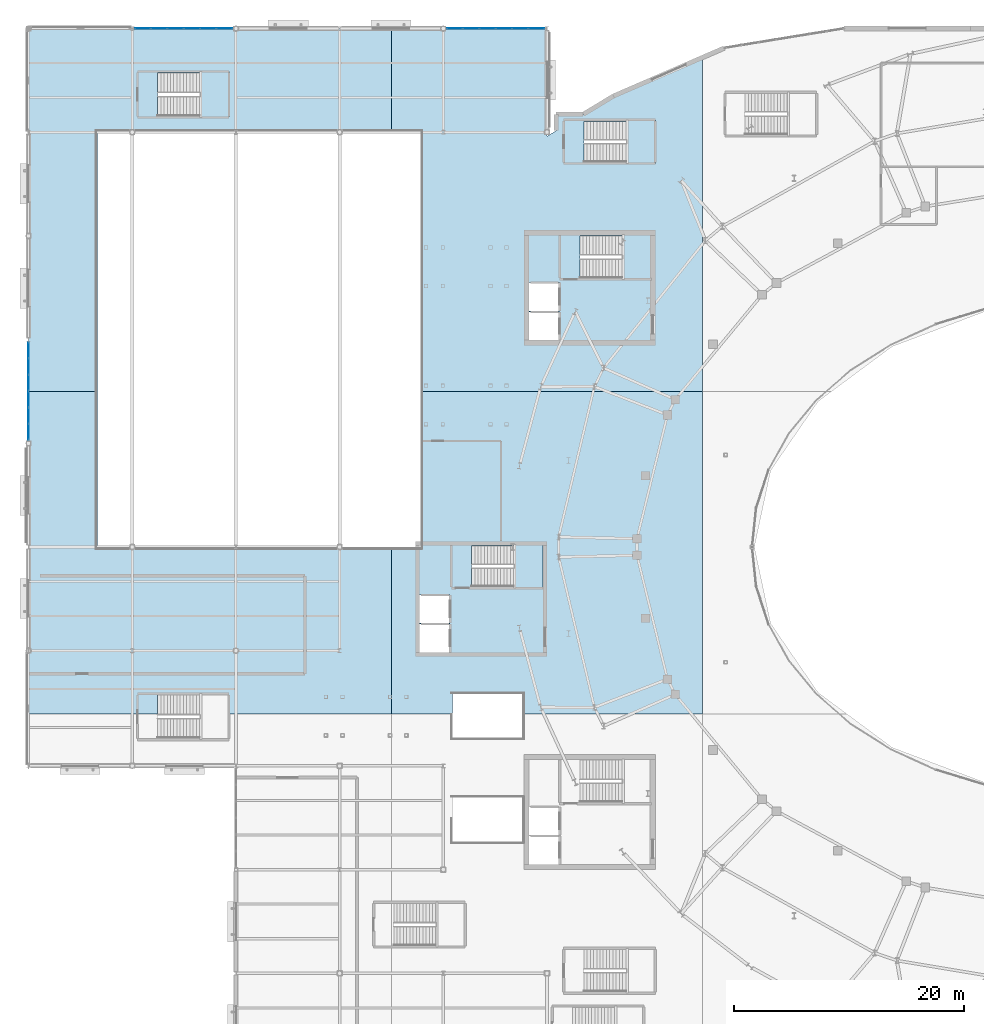
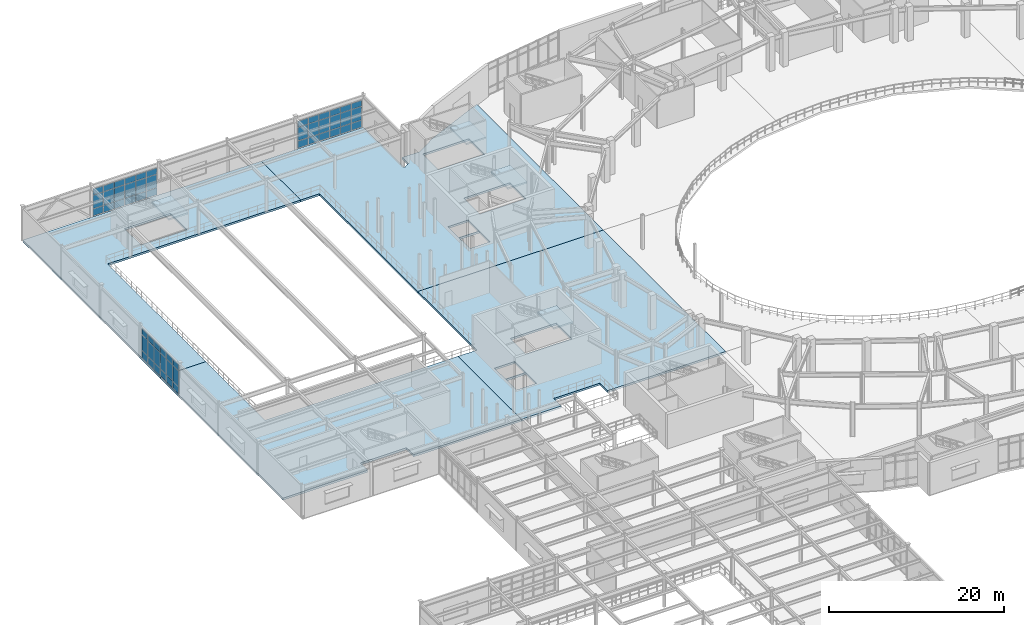
# One storey, part 55 of 86: 54 plates, 8 slabs, 7 elements without a shape of their own.
"""IFC4 building model written with IfcOpenShell, lengths in metres."""

from ifc_helpers import new_model, si_unit, direction, frame, origin, origin_2d, place, context, subcontext, project, spatial, polyline, rectangle, outline, extrude, material, layer, layer_set, type_object, element, aggregate, save


model = new_model("IFC4")

# Units and contexts
model_context = context("Model", 3, precision=1e-05, world=origin(), true_north=direction((0.0, 1.0)))
body_context = subcontext(model_context, "Body", "Model", "MODEL_VIEW")
ifc_project = project(units=[si_unit("LENGTHUNIT", "METRE"), si_unit("AREAUNIT", "SQUARE_METRE"), si_unit("VOLUMEUNIT", "CUBIC_METRE"), si_unit("PLANEANGLEUNIT", "RADIAN"), si_unit("MASSUNIT", "GRAM", prefix="KILO")], contexts=[model_context])

# Site, building, storey
site_placement = place(None, origin())
site = spatial("IfcSite", under=ifc_project, at=site_placement, CompositionType="ELEMENT")
building_placement = place(site_placement, origin())
building = spatial("IfcBuilding", under=site, at=building_placement, Name="Glasvene Arena", CompositionType="ELEMENT")
storey_placement = place(building_placement, frame((0.0, 0.0, 5.39990234375)))
storey = spatial("IfcBuildingStorey", under=building, at=storey_placement, Name="L01", CompositionType="ELEMENT", Elevation=5.39990234375)

# Curtain wall, plates
ifc_material_1 = material(Name="Low-emissivity laminated double glazing", Category="glass")
curtain_wall_type_1 = type_object("IfcCurtainWallType", Name="CW-FAC-L01-853x385", PredefinedType="USERDEFINED", material=ifc_material_1)
curtain_wall_1_placement = place(storey_placement, frame((9.196533203125, 118.0, 0.0)))
curtain_wall_1 = element("IfcCurtainWall", 1, at=curtain_wall_1_placement, inside=storey, type_object=curtain_wall_type_1, Name="Unitised curtain wall CW-F-L01-150-135-1180-1", ObjectType="CURTAIN WALL", PredefinedType="USERDEFINED")
ifc_layer_1 = layer(ifc_material_1, 0.028076171875)
ifc_layer_set_1 = layer_set([ifc_layer_1], Name="Low-emissivity laminated double glazing")
plate_type = type_object("IfcPlateType", Name="CW-GLZ-28", PredefinedType="CURTAIN_PANEL", material=ifc_layer_set_1)
plate_1_placement = place(storey_placement, frame((9.920166015625, 118.0, 0.10986328125), z_axis=(0.0, 0.0, 1.0), x_axis=(1.0, 0.0, 0.0)))
plate_1 = element("IfcPlate", 2, at=plate_1_placement, type_object=plate_type, Name="CW-007 panel 1.1", PredefinedType="CURTAIN_PANEL", context=body_context, shape_type="SweptSolid", body=[
    extrude(rectangle(XDim=1.34716796875, YDim=0.028076171875, at=origin_2d()), origin(), (0.0, 0.0, 1.0), 0.965087890625),
])
plate_2_placement = place(storey_placement, frame((9.920166015625, 118.0, 1.125244140625), z_axis=(0.0, 0.0, 1.0), x_axis=(1.0, 0.0, 0.0)))
plate_2 = element("IfcPlate", 3, at=plate_2_placement, type_object=plate_type, Name="CW-007 panel 1.2", PredefinedType="CURTAIN_PANEL", context=body_context, shape_type="SweptSolid", body=[
    extrude(rectangle(XDim=1.34716796875, YDim=0.028076171875, at=origin_2d()), origin(), (0.0, 0.0, 1.0), 1.85693359375),
])
plate_3_placement = place(storey_placement, frame((9.920166015625, 118.0, 3.0322265625), z_axis=(0.0, 0.0, 1.0), x_axis=(1.0, 0.0, 0.0)))
plate_3 = element("IfcPlate", 4, at=plate_3_placement, type_object=plate_type, Name="CW-007 panel 1.3", PredefinedType="CURTAIN_PANEL", context=body_context, shape_type="SweptSolid", body=[
    extrude(rectangle(XDim=1.34716796875, YDim=0.028076171875, at=origin_2d()), origin(), (0.0, 0.0, 1.0), 0.824951171875),
])
plate_4_placement = place(storey_placement, frame((11.329833984375, 118.0, 0.10986328125), z_axis=(0.0, 0.0, 1.0), x_axis=(1.0, 0.0, 0.0)))
plate_4 = element("IfcPlate", 5, at=plate_4_placement, type_object=plate_type, Name="CW-007 panel 2.1", PredefinedType="CURTAIN_PANEL", context=body_context, shape_type="SweptSolid", body=[
    extrude(rectangle(XDim=1.3720703125, YDim=0.028076171875, at=origin_2d()), origin(), (0.0, 0.0, 1.0), 0.965087890625),
])
plate_5_placement = place(storey_placement, frame((11.329833984375, 118.0, 1.125244140625), z_axis=(0.0, 0.0, 1.0), x_axis=(1.0, 0.0, 0.0)))
plate_5 = element("IfcPlate", 6, at=plate_5_placement, type_object=plate_type, Name="CW-007 panel 2.2", PredefinedType="CURTAIN_PANEL", context=body_context, shape_type="SweptSolid", body=[
    extrude(rectangle(XDim=1.3720703125, YDim=0.028076171875, at=origin_2d()), origin(), (0.0, 0.0, 1.0), 1.85693359375),
])
plate_6_placement = place(storey_placement, frame((11.329833984375, 118.0, 3.0322265625), z_axis=(0.0, 0.0, 1.0), x_axis=(1.0, 0.0, 0.0)))
plate_6 = element("IfcPlate", 7, at=plate_6_placement, type_object=plate_type, Name="CW-007 panel 2.3", PredefinedType="CURTAIN_PANEL", context=body_context, shape_type="SweptSolid", body=[
    extrude(rectangle(XDim=1.3720703125, YDim=0.028076171875, at=origin_2d()), origin(), (0.0, 0.0, 1.0), 0.824951171875),
])
plate_7_placement = place(storey_placement, frame((12.751953125, 118.0, 0.10986328125), z_axis=(0.0, 0.0, 1.0), x_axis=(1.0, 0.0, 0.0)))
plate_7 = element("IfcPlate", 8, at=plate_7_placement, type_object=plate_type, Name="CW-007 panel 3.1", PredefinedType="CURTAIN_PANEL", context=body_context, shape_type="SweptSolid", body=[
    extrude(rectangle(XDim=1.3720703125, YDim=0.028076171875, at=origin_2d()), origin(), (0.0, 0.0, 1.0), 0.965087890625),
])
plate_8_placement = place(storey_placement, frame((12.751953125, 118.0, 1.125244140625), z_axis=(0.0, 0.0, 1.0), x_axis=(1.0, 0.0, 0.0)))
plate_8 = element("IfcPlate", 9, at=plate_8_placement, type_object=plate_type, Name="CW-007 panel 3.2", PredefinedType="CURTAIN_PANEL", context=body_context, shape_type="SweptSolid", body=[
    extrude(rectangle(XDim=1.3720703125, YDim=0.028076171875, at=origin_2d()), origin(), (0.0, 0.0, 1.0), 1.85693359375),
])
plate_9_placement = place(storey_placement, frame((12.751953125, 118.0, 3.0322265625), z_axis=(0.0, 0.0, 1.0), x_axis=(1.0, 0.0, 0.0)))
plate_9 = element("IfcPlate", 10, at=plate_9_placement, type_object=plate_type, Name="CW-007 panel 3.3", PredefinedType="CURTAIN_PANEL", context=body_context, shape_type="SweptSolid", body=[
    extrude(rectangle(XDim=1.3720703125, YDim=0.028076171875, at=origin_2d()), origin(), (0.0, 0.0, 1.0), 0.824951171875),
])
plate_10_placement = place(storey_placement, frame((14.174072265625, 118.0, 0.10986328125), z_axis=(0.0, 0.0, 1.0), x_axis=(1.0, 0.0, 0.0)))
plate_10 = element("IfcPlate", 11, at=plate_10_placement, type_object=plate_type, Name="CW-007 panel 4.1", PredefinedType="CURTAIN_PANEL", context=body_context, shape_type="SweptSolid", body=[
    extrude(rectangle(XDim=1.3720703125, YDim=0.028076171875, at=origin_2d()), origin(), (0.0, 0.0, 1.0), 0.965087890625),
])
plate_11_placement = place(storey_placement, frame((14.174072265625, 118.0, 1.125244140625), z_axis=(0.0, 0.0, 1.0), x_axis=(1.0, 0.0, 0.0)))
plate_11 = element("IfcPlate", 12, at=plate_11_placement, type_object=plate_type, Name="CW-007 panel 4.2", PredefinedType="CURTAIN_PANEL", context=body_context, shape_type="SweptSolid", body=[
    extrude(rectangle(XDim=1.3720703125, YDim=0.028076171875, at=origin_2d()), origin(), (0.0, 0.0, 1.0), 1.85693359375),
])
plate_12_placement = place(storey_placement, frame((14.174072265625, 118.0, 3.0322265625), z_axis=(0.0, 0.0, 1.0), x_axis=(1.0, 0.0, 0.0)))
plate_12 = element("IfcPlate", 13, at=plate_12_placement, type_object=plate_type, Name="CW-007 panel 4.3", PredefinedType="CURTAIN_PANEL", context=body_context, shape_type="SweptSolid", body=[
    extrude(rectangle(XDim=1.3720703125, YDim=0.028076171875, at=origin_2d()), origin(), (0.0, 0.0, 1.0), 0.824951171875),
])
plate_13_placement = place(storey_placement, frame((15.59619140625, 118.0, 0.10986328125), z_axis=(0.0, 0.0, 1.0), x_axis=(1.0, 0.0, 0.0)))
plate_13 = element("IfcPlate", 14, at=plate_13_placement, type_object=plate_type, Name="CW-007 panel 5.1", PredefinedType="CURTAIN_PANEL", context=body_context, shape_type="SweptSolid", body=[
    extrude(rectangle(XDim=1.3720703125, YDim=0.028076171875, at=origin_2d()), origin(), (0.0, 0.0, 1.0), 0.965087890625),
])
plate_14_placement = place(storey_placement, frame((15.59619140625, 118.0, 1.125244140625), z_axis=(0.0, 0.0, 1.0), x_axis=(1.0, 0.0, 0.0)))
plate_14 = element("IfcPlate", 15, at=plate_14_placement, type_object=plate_type, Name="CW-007 panel 5.2", PredefinedType="CURTAIN_PANEL", context=body_context, shape_type="SweptSolid", body=[
    extrude(rectangle(XDim=1.3720703125, YDim=0.028076171875, at=origin_2d()), origin(), (0.0, 0.0, 1.0), 1.85693359375),
])
plate_15_placement = place(storey_placement, frame((15.59619140625, 118.0, 3.0322265625), z_axis=(0.0, 0.0, 1.0), x_axis=(1.0, 0.0, 0.0)))
plate_15 = element("IfcPlate", 16, at=plate_15_placement, type_object=plate_type, Name="CW-007 panel 5.3", PredefinedType="CURTAIN_PANEL", context=body_context, shape_type="SweptSolid", body=[
    extrude(rectangle(XDim=1.3720703125, YDim=0.028076171875, at=origin_2d()), origin(), (0.0, 0.0, 1.0), 0.824951171875),
])
plate_16_placement = place(storey_placement, frame((17.005859375, 118.0, 0.10986328125), z_axis=(0.0, 0.0, 1.0), x_axis=(1.0, 0.0, 0.0)))
plate_16 = element("IfcPlate", 17, at=plate_16_placement, type_object=plate_type, Name="CW-007 panel 6.1", PredefinedType="CURTAIN_PANEL", context=body_context, shape_type="SweptSolid", body=[
    extrude(rectangle(XDim=1.34716796875, YDim=0.028076171875, at=origin_2d()), origin(), (0.0, 0.0, 1.0), 0.965087890625),
])
plate_17_placement = place(storey_placement, frame((17.005859375, 118.0, 1.125244140625), z_axis=(0.0, 0.0, 1.0), x_axis=(1.0, 0.0, 0.0)))
plate_17 = element("IfcPlate", 18, at=plate_17_placement, type_object=plate_type, Name="CW-007 panel 6.2", PredefinedType="CURTAIN_PANEL", context=body_context, shape_type="SweptSolid", body=[
    extrude(rectangle(XDim=1.34716796875, YDim=0.028076171875, at=origin_2d()), origin(), (0.0, 0.0, 1.0), 1.85693359375),
])
plate_18_placement = place(storey_placement, frame((17.005859375, 118.0, 3.0322265625), z_axis=(0.0, 0.0, 1.0), x_axis=(1.0, 0.0, 0.0)))
plate_18 = element("IfcPlate", 19, at=plate_18_placement, type_object=plate_type, Name="CW-007 panel 6.3", PredefinedType="CURTAIN_PANEL", context=body_context, shape_type="SweptSolid", body=[
    extrude(rectangle(XDim=1.34716796875, YDim=0.028076171875, at=origin_2d()), origin(), (0.0, 0.0, 1.0), 0.824951171875),
])
aggregate(curtain_wall_1, [plate_1, plate_2, plate_3, plate_4, plate_5, plate_6, plate_7, plate_8, plate_9, plate_10, plate_11, plate_12, plate_13, plate_14, plate_15, plate_16, plate_17, plate_18])

curtain_wall_2_placement = place(storey_placement, frame((36.2705078125, 118.0, 0.0)))
curtain_wall_2 = element("IfcCurtainWall", 20, at=curtain_wall_2_placement, inside=storey, type_object=curtain_wall_type_1, Name="Unitised curtain wall CW-F-L01-150-405-1180-4", ObjectType="CURTAIN WALL", PredefinedType="USERDEFINED")
plate_19_placement = place(storey_placement, frame((36.994140625, 118.0, 0.10986328125), z_axis=(0.0, 0.0, 1.0), x_axis=(1.0, 0.0, 0.0)))
plate_19 = element("IfcPlate", 21, at=plate_19_placement, type_object=plate_type, Name="CW-007 panel 1.1", PredefinedType="CURTAIN_PANEL", context=body_context, shape_type="SweptSolid", body=[
    extrude(rectangle(XDim=1.34716796875, YDim=0.028076171875, at=origin_2d()), origin(), (0.0, 0.0, 1.0), 0.965087890625),
])
plate_20_placement = place(storey_placement, frame((36.994140625, 118.0, 1.125244140625), z_axis=(0.0, 0.0, 1.0), x_axis=(1.0, 0.0, 0.0)))
plate_20 = element("IfcPlate", 22, at=plate_20_placement, type_object=plate_type, Name="CW-007 panel 1.2", PredefinedType="CURTAIN_PANEL", context=body_context, shape_type="SweptSolid", body=[
    extrude(rectangle(XDim=1.34716796875, YDim=0.028076171875, at=origin_2d()), origin(), (0.0, 0.0, 1.0), 1.85693359375),
])
plate_21_placement = place(storey_placement, frame((36.994140625, 118.0, 3.0322265625), z_axis=(0.0, 0.0, 1.0), x_axis=(1.0, 0.0, 0.0)))
plate_21 = element("IfcPlate", 23, at=plate_21_placement, type_object=plate_type, Name="CW-007 panel 1.3", PredefinedType="CURTAIN_PANEL", context=body_context, shape_type="SweptSolid", body=[
    extrude(rectangle(XDim=1.34716796875, YDim=0.028076171875, at=origin_2d()), origin(), (0.0, 0.0, 1.0), 0.824951171875),
])
plate_22_placement = place(storey_placement, frame((38.40380859375, 118.0, 0.10986328125), z_axis=(0.0, 0.0, 1.0), x_axis=(1.0, 0.0, 0.0)))
plate_22 = element("IfcPlate", 24, at=plate_22_placement, type_object=plate_type, Name="CW-007 panel 2.1", PredefinedType="CURTAIN_PANEL", context=body_context, shape_type="SweptSolid", body=[
    extrude(rectangle(XDim=1.3720703125, YDim=0.028076171875, at=origin_2d()), origin(), (0.0, 0.0, 1.0), 0.965087890625),
])
plate_23_placement = place(storey_placement, frame((38.40380859375, 118.0, 1.125244140625), z_axis=(0.0, 0.0, 1.0), x_axis=(1.0, 0.0, 0.0)))
plate_23 = element("IfcPlate", 25, at=plate_23_placement, type_object=plate_type, Name="CW-007 panel 2.2", PredefinedType="CURTAIN_PANEL", context=body_context, shape_type="SweptSolid", body=[
    extrude(rectangle(XDim=1.3720703125, YDim=0.028076171875, at=origin_2d()), origin(), (0.0, 0.0, 1.0), 1.85693359375),
])
plate_24_placement = place(storey_placement, frame((38.40380859375, 118.0, 3.0322265625), z_axis=(0.0, 0.0, 1.0), x_axis=(1.0, 0.0, 0.0)))
plate_24 = element("IfcPlate", 26, at=plate_24_placement, type_object=plate_type, Name="CW-007 panel 2.3", PredefinedType="CURTAIN_PANEL", context=body_context, shape_type="SweptSolid", body=[
    extrude(rectangle(XDim=1.3720703125, YDim=0.028076171875, at=origin_2d()), origin(), (0.0, 0.0, 1.0), 0.824951171875),
])
plate_25_placement = place(storey_placement, frame((39.825927734375, 118.0, 0.10986328125), z_axis=(0.0, 0.0, 1.0), x_axis=(1.0, 0.0, 0.0)))
plate_25 = element("IfcPlate", 27, at=plate_25_placement, type_object=plate_type, Name="CW-007 panel 3.1", PredefinedType="CURTAIN_PANEL", context=body_context, shape_type="SweptSolid", body=[
    extrude(rectangle(XDim=1.3720703125, YDim=0.028076171875, at=origin_2d()), origin(), (0.0, 0.0, 1.0), 0.965087890625),
])
plate_26_placement = place(storey_placement, frame((39.825927734375, 118.0, 1.125244140625), z_axis=(0.0, 0.0, 1.0), x_axis=(1.0, 0.0, 0.0)))
plate_26 = element("IfcPlate", 28, at=plate_26_placement, type_object=plate_type, Name="CW-007 panel 3.2", PredefinedType="CURTAIN_PANEL", context=body_context, shape_type="SweptSolid", body=[
    extrude(rectangle(XDim=1.3720703125, YDim=0.028076171875, at=origin_2d()), origin(), (0.0, 0.0, 1.0), 1.85693359375),
])
plate_27_placement = place(storey_placement, frame((39.825927734375, 118.0, 3.0322265625), z_axis=(0.0, 0.0, 1.0), x_axis=(1.0, 0.0, 0.0)))
plate_27 = element("IfcPlate", 29, at=plate_27_placement, type_object=plate_type, Name="CW-007 panel 3.3", PredefinedType="CURTAIN_PANEL", context=body_context, shape_type="SweptSolid", body=[
    extrude(rectangle(XDim=1.3720703125, YDim=0.028076171875, at=origin_2d()), origin(), (0.0, 0.0, 1.0), 0.824951171875),
])
plate_28_placement = place(storey_placement, frame((41.248046875, 118.0, 0.10986328125), z_axis=(0.0, 0.0, 1.0), x_axis=(1.0, 0.0, 0.0)))
plate_28 = element("IfcPlate", 30, at=plate_28_placement, type_object=plate_type, Name="CW-007 panel 4.1", PredefinedType="CURTAIN_PANEL", context=body_context, shape_type="SweptSolid", body=[
    extrude(rectangle(XDim=1.3720703125, YDim=0.028076171875, at=origin_2d()), origin(), (0.0, 0.0, 1.0), 0.965087890625),
])
plate_29_placement = place(storey_placement, frame((41.248046875, 118.0, 1.125244140625), z_axis=(0.0, 0.0, 1.0), x_axis=(1.0, 0.0, 0.0)))
plate_29 = element("IfcPlate", 31, at=plate_29_placement, type_object=plate_type, Name="CW-007 panel 4.2", PredefinedType="CURTAIN_PANEL", context=body_context, shape_type="SweptSolid", body=[
    extrude(rectangle(XDim=1.3720703125, YDim=0.028076171875, at=origin_2d()), origin(), (0.0, 0.0, 1.0), 1.85693359375),
])
plate_30_placement = place(storey_placement, frame((41.248046875, 118.0, 3.0322265625), z_axis=(0.0, 0.0, 1.0), x_axis=(1.0, 0.0, 0.0)))
plate_30 = element("IfcPlate", 32, at=plate_30_placement, type_object=plate_type, Name="CW-007 panel 4.3", PredefinedType="CURTAIN_PANEL", context=body_context, shape_type="SweptSolid", body=[
    extrude(rectangle(XDim=1.3720703125, YDim=0.028076171875, at=origin_2d()), origin(), (0.0, 0.0, 1.0), 0.824951171875),
])
plate_31_placement = place(storey_placement, frame((42.670166015625, 118.0, 0.10986328125), z_axis=(0.0, 0.0, 1.0), x_axis=(1.0, 0.0, 0.0)))
plate_31 = element("IfcPlate", 33, at=plate_31_placement, type_object=plate_type, Name="CW-007 panel 5.1", PredefinedType="CURTAIN_PANEL", context=body_context, shape_type="SweptSolid", body=[
    extrude(rectangle(XDim=1.3720703125, YDim=0.028076171875, at=origin_2d()), origin(), (0.0, 0.0, 1.0), 0.965087890625),
])
plate_32_placement = place(storey_placement, frame((42.670166015625, 118.0, 1.125244140625), z_axis=(0.0, 0.0, 1.0), x_axis=(1.0, 0.0, 0.0)))
plate_32 = element("IfcPlate", 34, at=plate_32_placement, type_object=plate_type, Name="CW-007 panel 5.2", PredefinedType="CURTAIN_PANEL", context=body_context, shape_type="SweptSolid", body=[
    extrude(rectangle(XDim=1.3720703125, YDim=0.028076171875, at=origin_2d()), origin(), (0.0, 0.0, 1.0), 1.85693359375),
])
plate_33_placement = place(storey_placement, frame((42.670166015625, 118.0, 3.0322265625), z_axis=(0.0, 0.0, 1.0), x_axis=(1.0, 0.0, 0.0)))
plate_33 = element("IfcPlate", 35, at=plate_33_placement, type_object=plate_type, Name="CW-007 panel 5.3", PredefinedType="CURTAIN_PANEL", context=body_context, shape_type="SweptSolid", body=[
    extrude(rectangle(XDim=1.3720703125, YDim=0.028076171875, at=origin_2d()), origin(), (0.0, 0.0, 1.0), 0.824951171875),
])
plate_34_placement = place(storey_placement, frame((44.079833984375, 118.0, 0.10986328125), z_axis=(0.0, 0.0, 1.0), x_axis=(1.0, 0.0, 0.0)))
plate_34 = element("IfcPlate", 36, at=plate_34_placement, type_object=plate_type, Name="CW-007 panel 6.1", PredefinedType="CURTAIN_PANEL", context=body_context, shape_type="SweptSolid", body=[
    extrude(rectangle(XDim=1.34716796875, YDim=0.028076171875, at=origin_2d()), origin(), (0.0, 0.0, 1.0), 0.965087890625),
])
plate_35_placement = place(storey_placement, frame((44.079833984375, 118.0, 1.125244140625), z_axis=(0.0, 0.0, 1.0), x_axis=(1.0, 0.0, 0.0)))
plate_35 = element("IfcPlate", 37, at=plate_35_placement, type_object=plate_type, Name="CW-007 panel 6.2", PredefinedType="CURTAIN_PANEL", context=body_context, shape_type="SweptSolid", body=[
    extrude(rectangle(XDim=1.34716796875, YDim=0.028076171875, at=origin_2d()), origin(), (0.0, 0.0, 1.0), 1.85693359375),
])
plate_36_placement = place(storey_placement, frame((44.079833984375, 118.0, 3.0322265625), z_axis=(0.0, 0.0, 1.0), x_axis=(1.0, 0.0, 0.0)))
plate_36 = element("IfcPlate", 38, at=plate_36_placement, type_object=plate_type, Name="CW-007 panel 6.3", PredefinedType="CURTAIN_PANEL", context=body_context, shape_type="SweptSolid", body=[
    extrude(rectangle(XDim=1.34716796875, YDim=0.028076171875, at=origin_2d()), origin(), (0.0, 0.0, 1.0), 0.824951171875),
])
aggregate(curtain_wall_2, [plate_19, plate_20, plate_21, plate_22, plate_23, plate_24, plate_25, plate_26, plate_27, plate_28, plate_29, plate_30, plate_31, plate_32, plate_33, plate_34, plate_35, plate_36])

curtain_wall_type_2 = type_object("IfcCurtainWallType", Name="CW-FAC-L01-853x416", PredefinedType="USERDEFINED", material=ifc_material_1)
curtain_wall_3_placement = place(storey_placement, frame((0.0, 82.2705078125, 0.0)))
curtain_wall_3 = element("IfcCurtainWall", 39, at=curtain_wall_3_placement, inside=storey, type_object=curtain_wall_type_2, Name="Unitised curtain wall CW-F-L01-180-0-865-76", ObjectType="CURTAIN WALL", PredefinedType="USERDEFINED")
plate_37_placement = place(storey_placement, frame((0.0, 82.99365234375, 0.10986328125), z_axis=(0.0, 0.0, 1.0), x_axis=(0.0, 1.0, 0.0)))
plate_37 = element("IfcPlate", 40, at=plate_37_placement, type_object=plate_type, Name="CW-019 panel 1.1", PredefinedType="CURTAIN_PANEL", context=body_context, shape_type="SweptSolid", body=[
    extrude(rectangle(XDim=1.34619140625, YDim=0.028076171875, at=origin_2d()), origin(), (0.0, 0.0, 1.0), 0.965087890625),
])
plate_38_placement = place(storey_placement, frame((0.0, 82.99365234375, 1.125), z_axis=(0.0, 0.0, 1.0), x_axis=(0.0, 1.0, 0.0)))
plate_38 = element("IfcPlate", 41, at=plate_38_placement, type_object=plate_type, Name="CW-019 panel 1.2", PredefinedType="CURTAIN_PANEL", context=body_context, shape_type="SweptSolid", body=[
    extrude(rectangle(XDim=1.34619140625, YDim=0.028076171875, at=origin_2d()), origin(), (0.0, 0.0, 1.0), 2.1650390625),
])
plate_39_placement = place(storey_placement, frame((0.0, 82.99365234375, 3.34033203125), z_axis=(0.0, 0.0, 1.0), x_axis=(0.0, 1.0, 0.0)))
plate_39 = element("IfcPlate", 42, at=plate_39_placement, type_object=plate_type, Name="CW-019 panel 1.3", PredefinedType="CURTAIN_PANEL", context=body_context, shape_type="SweptSolid", body=[
    extrude(rectangle(XDim=1.34619140625, YDim=0.028076171875, at=origin_2d()), origin(), (0.0, 0.0, 1.0), 0.824951171875),
])
plate_40_placement = place(storey_placement, frame((0.0, 84.40234375, 0.10986328125), z_axis=(0.0, 0.0, 1.0), x_axis=(0.0, 1.0, 0.0)))
plate_40 = element("IfcPlate", 43, at=plate_40_placement, type_object=plate_type, Name="CW-019 panel 2.1", PredefinedType="CURTAIN_PANEL", context=body_context, shape_type="SweptSolid", body=[
    extrude(rectangle(XDim=1.37109375, YDim=0.028076171875, at=origin_2d()), origin(), (0.0, 0.0, 1.0), 0.965087890625),
])
plate_41_placement = place(storey_placement, frame((0.0, 84.40234375, 1.125), z_axis=(0.0, 0.0, 1.0), x_axis=(0.0, 1.0, 0.0)))
plate_41 = element("IfcPlate", 44, at=plate_41_placement, type_object=plate_type, Name="CW-019 panel 2.2", PredefinedType="CURTAIN_PANEL", context=body_context, shape_type="SweptSolid", body=[
    extrude(rectangle(XDim=1.37109375, YDim=0.028076171875, at=origin_2d()), origin(), (0.0, 0.0, 1.0), 2.1650390625),
])
plate_42_placement = place(storey_placement, frame((0.0, 84.40234375, 3.34033203125), z_axis=(0.0, 0.0, 1.0), x_axis=(0.0, 1.0, 0.0)))
plate_42 = element("IfcPlate", 45, at=plate_42_placement, type_object=plate_type, Name="CW-019 panel 2.3", PredefinedType="CURTAIN_PANEL", context=body_context, shape_type="SweptSolid", body=[
    extrude(rectangle(XDim=1.37109375, YDim=0.028076171875, at=origin_2d()), origin(), (0.0, 0.0, 1.0), 0.824951171875),
])
plate_43_placement = place(storey_placement, frame((0.0, 85.823486328125, 0.10986328125), z_axis=(0.0, 0.0, 1.0), x_axis=(0.0, 1.0, 0.0)))
plate_43 = element("IfcPlate", 46, at=plate_43_placement, type_object=plate_type, Name="CW-019 panel 3.1", PredefinedType="CURTAIN_PANEL", context=body_context, shape_type="SweptSolid", body=[
    extrude(rectangle(XDim=1.37109375, YDim=0.028076171875, at=origin_2d()), origin(), (0.0, 0.0, 1.0), 0.965087890625),
])
plate_44_placement = place(storey_placement, frame((0.0, 85.823486328125, 1.125), z_axis=(0.0, 0.0, 1.0), x_axis=(0.0, 1.0, 0.0)))
plate_44 = element("IfcPlate", 47, at=plate_44_placement, type_object=plate_type, Name="CW-019 panel 3.2", PredefinedType="CURTAIN_PANEL", context=body_context, shape_type="SweptSolid", body=[
    extrude(rectangle(XDim=1.37109375, YDim=0.028076171875, at=origin_2d()), origin(), (0.0, 0.0, 1.0), 2.1650390625),
])
plate_45_placement = place(storey_placement, frame((0.0, 85.823486328125, 3.34033203125), z_axis=(0.0, 0.0, 1.0), x_axis=(0.0, 1.0, 0.0)))
plate_45 = element("IfcPlate", 48, at=plate_45_placement, type_object=plate_type, Name="CW-019 panel 3.3", PredefinedType="CURTAIN_PANEL", context=body_context, shape_type="SweptSolid", body=[
    extrude(rectangle(XDim=1.37109375, YDim=0.028076171875, at=origin_2d()), origin(), (0.0, 0.0, 1.0), 0.824951171875),
])
plate_46_placement = place(storey_placement, frame((0.0, 87.24462890625, 0.10986328125), z_axis=(0.0, 0.0, 1.0), x_axis=(0.0, 1.0, 0.0)))
plate_46 = element("IfcPlate", 49, at=plate_46_placement, type_object=plate_type, Name="CW-019 panel 4.1", PredefinedType="CURTAIN_PANEL", context=body_context, shape_type="SweptSolid", body=[
    extrude(rectangle(XDim=1.37109375, YDim=0.028076171875, at=origin_2d()), origin(), (0.0, 0.0, 1.0), 0.965087890625),
])
plate_47_placement = place(storey_placement, frame((0.0, 87.24462890625, 1.125), z_axis=(0.0, 0.0, 1.0), x_axis=(0.0, 1.0, 0.0)))
plate_47 = element("IfcPlate", 50, at=plate_47_placement, type_object=plate_type, Name="CW-019 panel 4.2", PredefinedType="CURTAIN_PANEL", context=body_context, shape_type="SweptSolid", body=[
    extrude(rectangle(XDim=1.37109375, YDim=0.028076171875, at=origin_2d()), origin(), (0.0, 0.0, 1.0), 2.1650390625),
])
plate_48_placement = place(storey_placement, frame((0.0, 87.24462890625, 3.34033203125), z_axis=(0.0, 0.0, 1.0), x_axis=(0.0, 1.0, 0.0)))
plate_48 = element("IfcPlate", 51, at=plate_48_placement, type_object=plate_type, Name="CW-019 panel 4.3", PredefinedType="CURTAIN_PANEL", context=body_context, shape_type="SweptSolid", body=[
    extrude(rectangle(XDim=1.37109375, YDim=0.028076171875, at=origin_2d()), origin(), (0.0, 0.0, 1.0), 0.824951171875),
])
plate_49_placement = place(storey_placement, frame((0.0, 88.666015625, 0.10986328125), z_axis=(0.0, 0.0, 1.0), x_axis=(0.0, 1.0, 0.0)))
plate_49 = element("IfcPlate", 52, at=plate_49_placement, type_object=plate_type, Name="CW-019 panel 5.1", PredefinedType="CURTAIN_PANEL", context=body_context, shape_type="SweptSolid", body=[
    extrude(rectangle(XDim=1.37109375, YDim=0.028076171875, at=origin_2d()), origin(), (0.0, 0.0, 1.0), 0.965087890625),
])
plate_50_placement = place(storey_placement, frame((0.0, 88.666015625, 1.125), z_axis=(0.0, 0.0, 1.0), x_axis=(0.0, 1.0, 0.0)))
plate_50 = element("IfcPlate", 53, at=plate_50_placement, type_object=plate_type, Name="CW-019 panel 5.2", PredefinedType="CURTAIN_PANEL", context=body_context, shape_type="SweptSolid", body=[
    extrude(rectangle(XDim=1.37109375, YDim=0.028076171875, at=origin_2d()), origin(), (0.0, 0.0, 1.0), 2.1650390625),
])
plate_51_placement = place(storey_placement, frame((0.0, 88.666015625, 3.34033203125), z_axis=(0.0, 0.0, 1.0), x_axis=(0.0, 1.0, 0.0)))
plate_51 = element("IfcPlate", 54, at=plate_51_placement, type_object=plate_type, Name="CW-019 panel 5.3", PredefinedType="CURTAIN_PANEL", context=body_context, shape_type="SweptSolid", body=[
    extrude(rectangle(XDim=1.37109375, YDim=0.028076171875, at=origin_2d()), origin(), (0.0, 0.0, 1.0), 0.824951171875),
])
plate_52_placement = place(storey_placement, frame((0.0, 90.07470703125, 0.10986328125), z_axis=(0.0, 0.0, 1.0), x_axis=(0.0, 1.0, 0.0)))
plate_52 = element("IfcPlate", 55, at=plate_52_placement, type_object=plate_type, Name="CW-019 panel 6.1", PredefinedType="CURTAIN_PANEL", context=body_context, shape_type="SweptSolid", body=[
    extrude(rectangle(XDim=1.34619140625, YDim=0.028076171875, at=origin_2d()), origin(), (0.0, 0.0, 1.0), 0.965087890625),
])
plate_53_placement = place(storey_placement, frame((0.0, 90.07470703125, 1.125), z_axis=(0.0, 0.0, 1.0), x_axis=(0.0, 1.0, 0.0)))
plate_53 = element("IfcPlate", 56, at=plate_53_placement, type_object=plate_type, Name="CW-019 panel 6.2", PredefinedType="CURTAIN_PANEL", context=body_context, shape_type="SweptSolid", body=[
    extrude(rectangle(XDim=1.34619140625, YDim=0.028076171875, at=origin_2d()), origin(), (0.0, 0.0, 1.0), 2.1650390625),
])
plate_54_placement = place(storey_placement, frame((0.0, 90.07470703125, 3.34033203125), z_axis=(0.0, 0.0, 1.0), x_axis=(0.0, 1.0, 0.0)))
plate_54 = element("IfcPlate", 57, at=plate_54_placement, type_object=plate_type, Name="CW-019 panel 6.3", PredefinedType="CURTAIN_PANEL", context=body_context, shape_type="SweptSolid", body=[
    extrude(rectangle(XDim=1.34619140625, YDim=0.028076171875, at=origin_2d()), origin(), (0.0, 0.0, 1.0), 0.824951171875),
])
aggregate(curtain_wall_3, [plate_37, plate_38, plate_39, plate_40, plate_41, plate_42, plate_43, plate_44, plate_45, plate_46, plate_47, plate_48, plate_49, plate_50, plate_51, plate_52, plate_53, plate_54])

# Slabs
ifc_material_2 = material(Name="Concrete C40/50", Category="concrete")
ifc_layer_2 = layer(ifc_material_2, 0.280029296875)
ifc_layer_set_2 = layer_set([ifc_layer_2], Name="Concrete C40/50")
slab_type_1 = type_object("IfcSlabType", Name="SL-CONC-280", PredefinedType="FLOOR", material=ifc_layer_set_2)
slab_1_placement = place(storey_placement, frame((13.200439453125, 67.330078125, -0.27978515625)))
element("IfcSlab", 58, at=slab_1_placement, inside=storey, type_object=slab_type_1, Name="Structural floor slab L01 sector 3-1 (50)", PredefinedType="FLOOR", context=body_context, shape_type="SweptSolid", body=[
    extrude(outline(polyline([(-7.200439453125, 19.169921875), (-7.200439453125, 5.669921875), (18.299560546875, 5.669921875), (18.299560546875, -8.830078125), (4.099609375, -8.830078125), (4.099609375, -7.18017578125), (-1.99853515625, -7.18017578125), (-1.99853515625, -8.830078125), (-13.200439453125, -8.830078125), (-13.200439453125, 19.169921875), (-7.200439453125, 19.169921875)])), origin(), (0.0, 0.0, 1.0), 0.27978515625),
])
slab_2_placement = place(storey_placement, frame((40.740478515625, 67.35009765625, -0.27978515625)))
element("IfcSlab", 59, at=slab_2_placement, inside=storey, type_object=slab_type_1, Name="Structural floor slab L01 sector 3-2 (51)", PredefinedType="FLOOR", context=body_context, shape_type="SweptSolid", body=[
    extrude(outline(polyline([(17.759521484375, 19.14990234375), (17.759521484375, -8.85009765625), (2.159423828125, -8.85009765625), (2.159423828125, -7.10009765625), (-3.9384765625, -7.10009765625), (-3.9384765625, -8.85009765625), (-9.240478515625, -8.85009765625), (-9.240478515625, 5.64990234375), (-6.740478515625, 5.64990234375), (-6.740478515625, 19.14990234375), (17.759521484375, 19.14990234375)]), holes=[polyline([(-4.140380859375, -3.5), (-4.140380859375, -1.050048828125), (-6.79052734375, -1.050048828125), (-6.79052734375, -3.5), (-4.140380859375, -3.5)]), polyline([(-4.140380859375, -0.9501953125), (-4.140380859375, 1.5), (-6.79052734375, 1.5), (-6.79052734375, -0.9501953125), (-4.140380859375, -0.9501953125)]), polyline([(3.8095703125, 2.199951171875), (3.8095703125, 5.75), (-2.28857421875, 5.75), (-2.28857421875, 2.199951171875), (3.8095703125, 2.199951171875)])]), origin(), (0.0, 0.0, 1.0), 0.27978515625),
])
slab_3_placement = place(storey_placement, frame((12.5, 104.5, -0.27978515625)))
element("IfcSlab", 60, at=slab_3_placement, inside=storey, type_object=slab_type_1, Name="Structural floor slab L01 sector 4-1 (55)", PredefinedType="FLOOR", context=body_context, shape_type="SweptSolid", body=[
    extrude(outline(polyline([(19.0, 4.5), (-6.5, 4.5), (-6.5, -18.0), (-12.5, -18.0), (-12.5, 13.5), (19.0, 13.5), (19.0, 4.5)]), holes=[polyline([(4.800048828125, 5.89990234375), (4.800048828125, 9.64990234375), (-1.298095703125, 9.64990234375), (-1.298095703125, 5.89990234375), (4.800048828125, 5.89990234375)])]), origin(), (0.0, 0.0, 1.0), 0.27978515625),
])
slab_4_placement = place(storey_placement, frame((44.042236328125, 107.793212890625, -0.27978515625)))
element("IfcSlab", 61, at=slab_4_placement, inside=storey, type_object=slab_type_1, Name="Structural floor slab L01 sector 4-2 (56)", PredefinedType="FLOOR", context=body_context, shape_type="SweptSolid", body=[
    extrude(outline(polyline([(0.957763671875, 0.859130859375), (1.7578125, 1.342529296875), (1.7578125, 2.7568359375), (4.097412109375, 2.7568359375), (6.725341796875, 4.34521484375), (14.457763671875, 7.69873046875), (14.457763671875, -21.293212890625), (-10.042236328125, -21.293212890625), (-10.042236328125, 1.206787109375), (-12.542236328125, 1.206787109375), (-12.542236328125, 10.206787109375), (0.957763671875, 10.206787109375), (0.957763671875, 0.859130859375)]), holes=[polyline([(2.057861328125, -16.84326171875), (2.057861328125, -14.393310546875), (-0.59228515625, -14.393310546875), (-0.59228515625, -16.84326171875), (2.057861328125, -16.84326171875)]), polyline([(2.057861328125, -14.293212890625), (2.057861328125, -11.84326171875), (-0.59228515625, -11.84326171875), (-0.59228515625, -14.293212890625), (2.057861328125, -14.293212890625)]), polyline([(9.90771484375, -11.443115234375), (9.90771484375, -7.793212890625), (3.809814453125, -7.793212890625), (3.809814453125, -11.443115234375), (9.90771484375, -11.443115234375)]), polyline([(10.2578125, -1.393310546875), (10.2578125, 2.15673828125), (4.15966796875, 2.15673828125), (4.15966796875, -1.393310546875), (10.2578125, -1.393310546875)])]), origin(), (0.0, 0.0, 1.0), 0.27978515625),
])

# Stair, slab
stair_type_1 = type_object("IfcStairType", Name="ST-HT-480-170", PredefinedType="HALF_TURN_STAIR", material=ifc_material_2)
stair_1_placement = place(storey_placement, origin())
stair_1 = element("IfcStair", 62, at=stair_1_placement, inside=storey, type_object=stair_type_1, Name="Protected escape stair ST-01 (L01 to L02)", PredefinedType="HALF_TURN_STAIR")
ifc_layer_3 = layer(ifc_material_2, 0.219970703125)
ifc_layer_set_3 = layer_set([ifc_layer_3], Name="Concrete C40/50")
slab_type_2 = type_object("IfcSlabType", Name="SL-LAND-220", PredefinedType="LANDING", material=ifc_layer_set_3)
slab_5_placement = place(storey_placement, frame((52.77001953125, 98.175048828125, 2.18017578125)))
slab_5 = element("IfcSlab", 63, at=slab_5_placement, type_object=slab_type_2, Name="Protected escape stair ST-01 (L01 to L02) landing 1", PredefinedType="LANDING", context=body_context, shape_type="SweptSolid", body=[
    extrude(outline(polyline([(-1.280029296875, -1.925048828125), (1.280029296875, -1.925048828125), (1.280029296875, 1.925048828125), (-1.280029296875, 1.925048828125), (-1.280029296875, -1.925048828125)])), origin(), (0.0, 0.0, 1.0), 0.219970703125),
])
aggregate(stair_1, [slab_5])

stair_type_2 = type_object("IfcStairType", Name="ST-HT-480-165", PredefinedType="HALF_TURN_STAIR", material=ifc_material_2)
stair_2_placement = place(storey_placement, origin())
stair_2 = element("IfcStair", 64, at=stair_2_placement, inside=storey, type_object=stair_type_2, Name="Protected escape stair ST-07 (L01 to L02)", PredefinedType="HALF_TURN_STAIR")
slab_6_placement = place(storey_placement, frame((43.3701171875, 71.324951171875, 2.18017578125)))
slab_6 = element("IfcSlab", 65, at=slab_6_placement, type_object=slab_type_2, Name="Protected escape stair ST-07 (L01 to L02) landing 1", PredefinedType="LANDING", context=body_context, shape_type="SweptSolid", body=[
    extrude(outline(polyline([(-1.280029296875, -1.875), (1.27978515625, -1.875), (1.27978515625, 1.875), (-1.280029296875, 1.875), (-1.280029296875, -1.875)])), origin(), (0.0, 0.0, 1.0), 0.219970703125),
])
aggregate(stair_2, [slab_6])

stair_3_placement = place(storey_placement, origin())
stair_3 = element("IfcStair", 66, at=stair_3_placement, inside=storey, type_object=stair_type_2, Name="Protected escape stair ST-12 (L01 to L02)", PredefinedType="HALF_TURN_STAIR")
slab_7_placement = place(storey_placement, frame((53.1201171875, 108.175048828125, 2.18017578125)))
slab_7 = element("IfcSlab", 67, at=slab_7_placement, type_object=slab_type_2, Name="Protected escape stair ST-12 (L01 to L02) landing 1", PredefinedType="LANDING", context=body_context, shape_type="SweptSolid", body=[
    extrude(outline(polyline([(-1.280029296875, -1.875), (1.27978515625, -1.875), (1.27978515625, 1.875), (-1.280029296875, 1.875), (-1.280029296875, -1.875)])), origin(), (0.0, 0.0, 1.0), 0.219970703125),
])
aggregate(stair_3, [slab_7])

stair_type_3 = type_object("IfcStairType", Name="ST-HT-480-175", PredefinedType="HALF_TURN_STAIR", material=ifc_material_2)
stair_4_placement = place(storey_placement, origin())
stair_4 = element("IfcStair", 68, at=stair_4_placement, inside=storey, type_object=stair_type_3, Name="Protected escape stair ST-14 (L01 to L02)", PredefinedType="HALF_TURN_STAIR")
slab_8_placement = place(storey_placement, frame((16.1201171875, 112.27490234375, 2.18017578125)))
slab_8 = element("IfcSlab", 69, at=slab_8_placement, type_object=slab_type_2, Name="Protected escape stair ST-14 (L01 to L02) landing 1", PredefinedType="LANDING", context=body_context, shape_type="SweptSolid", body=[
    extrude(outline(polyline([(-1.280029296875, -1.974853515625), (1.27978515625, -1.974853515625), (1.27978515625, 1.97509765625), (-1.280029296875, 1.97509765625), (-1.280029296875, -1.974853515625)])), origin(), (0.0, 0.0, 1.0), 0.219970703125),
])
aggregate(stair_4, [slab_8])

save(model, "model.ifc")
